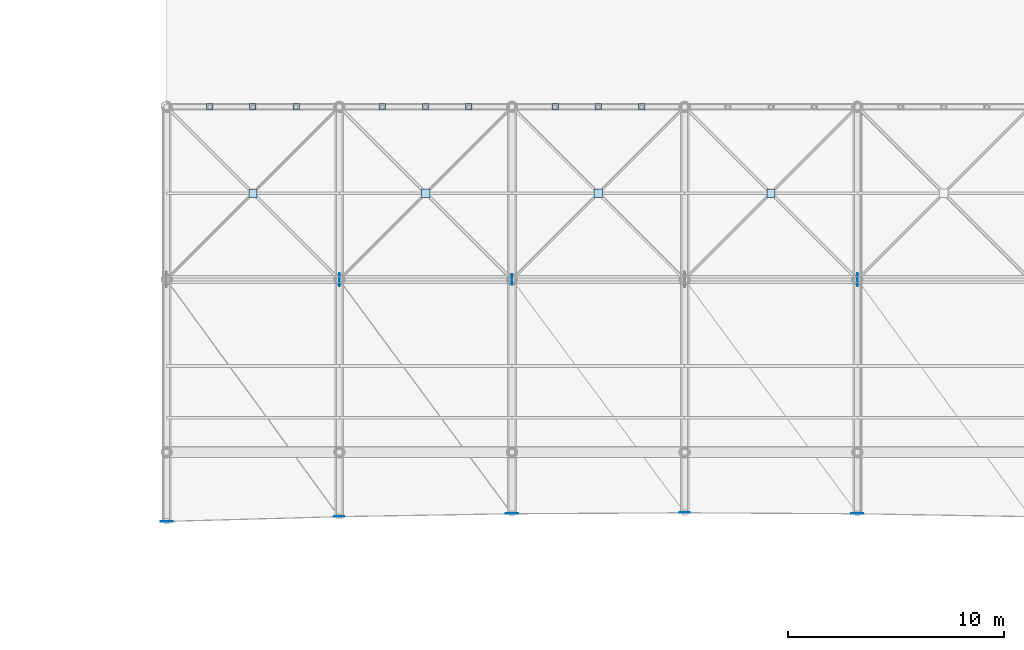
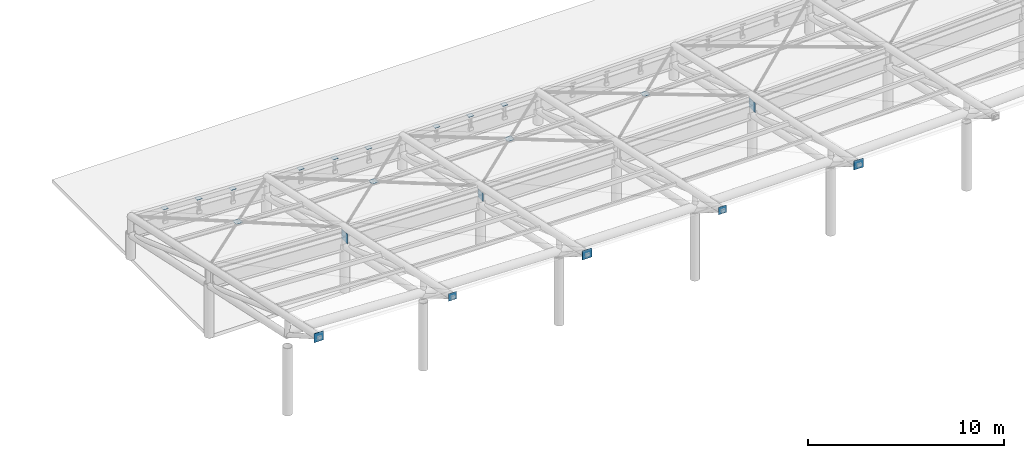
# One storey, part 37 of 54: 21 plates.
"""IFC4 building model written with IfcOpenShell, lengths in metres."""

from ifc_helpers import new_model, si_unit, direction, frame, origin, origin_2d, place, context, subcontext, project, spatial, rectangle, extrude, material, layer, layer_set, type_object, element, save


model = new_model("IFC4")

# Units and contexts
model_context = context("Model", 3, precision=1e-05, world=origin(), true_north=direction((0.0, 1.0)))
body_context = subcontext(model_context, "Body", "Model", "MODEL_VIEW")
ifc_project = project(units=[si_unit("LENGTHUNIT", "METRE"), si_unit("AREAUNIT", "SQUARE_METRE"), si_unit("VOLUMEUNIT", "CUBIC_METRE"), si_unit("PLANEANGLEUNIT", "RADIAN"), si_unit("MASSUNIT", "GRAM", prefix="KILO")], contexts=[model_context])

# Site, building, storey
site_placement = place(None, origin())
site = spatial("IfcSite", under=ifc_project, at=site_placement, CompositionType="ELEMENT")
building_placement = place(site_placement, origin())
building = spatial("IfcBuilding", under=site, at=building_placement, Name="Haebicheon Civic Stadium", CompositionType="ELEMENT")
storey_placement = place(building_placement, frame((0.0, 0.0, 22.800048828125)))
storey = spatial("IfcBuildingStorey", under=building, at=storey_placement, Name="L06", CompositionType="ELEMENT", Elevation=22.800048828125)

# Plates
ifc_material_1 = material(Name="White painted steel SM490", Category="steel")
ifc_layer_1 = layer(ifc_material_1, 0.013916015625, Name="White painted steel SM490")
ifc_layer_set_1 = layer_set([ifc_layer_1], Name="White painted steel SM490")
plate_type_1 = type_object("IfcPlateType", Name="PLT-CAP-14", PredefinedType="SHEET", material=ifc_layer_set_1)
for number, where, z_axis, x_axis, name in (
    (1, (82.0, 160.0, 2.38818359375), (0.0, 0.0, 1.0), (1.0, 0.0, 0.0), "CAN-NORTH hanger clevis cap plate 1.1"),
    (2, (84.0, 160.0, 2.296875), (0.0, 0.0, 1.0), (1.0, 0.0, 0.0), "CAN-NORTH hanger clevis cap plate 1.2"),
    (3, (86.0, 160.0, 2.205078125), (0.0, 0.0, 1.0), (1.0, 0.0, 0.0), "CAN-NORTH hanger clevis cap plate 1.3"),
    (4, (90.0, 160.0, 2.05810546875), (0.0, 0.0, 1.0), (1.0, 0.0, 0.0), "CAN-NORTH hanger clevis cap plate 2.1"),
    (5, (92.0, 160.0, 2.0029296875), (0.0, 0.0, 1.0), (1.0, 0.0, 0.0), "CAN-NORTH hanger clevis cap plate 2.2"),
    (6, (94.0, 160.0, 1.94775390625), (0.0, 0.0, 1.0), (1.0, 0.0, 0.0), "CAN-NORTH hanger clevis cap plate 2.3"),
    (7, (98.0, 160.0, 1.875), (0.0, 0.0, 1.0), (1.0, 0.0, 0.0), "CAN-NORTH hanger clevis cap plate 3.1"),
    (8, (100.0, 160.0, 1.85693359375), (0.0, 0.0, 1.0), (1.0, 0.0, 0.0), "CAN-NORTH hanger clevis cap plate 3.2"),
    (9, (102.0, 160.0, 1.837890625), (0.0, 0.0, 1.0), (1.0, 0.0, 0.0), "CAN-NORTH hanger clevis cap plate 3.3"),
):
    element("IfcPlate", number, at=place(storey_placement, frame(where, z_axis=z_axis, x_axis=x_axis)), inside=storey, type_object=plate_type_1, material=ifc_layer_set_1, Name=name, PredefinedType="SHEET", context=body_context, shape_type="SweptSolid", body=[
        extrude(rectangle(XDim=0.300048828125, YDim=0.300048828125, at=origin_2d()), origin(), (0.0, 0.0, 1.0), 0.013916015625),
    ])
ifc_material_2 = material(Name="White painted steel SM490", Category="steel")
ifc_layer_2 = layer(ifc_material_2, 0.02001953125, Name="White painted steel SM490")
ifc_layer_set_2 = layer_set([ifc_layer_2], Name="White painted steel SM490")
plate_type_2 = type_object("IfcPlateType", Name="PLT-CAP-20", PredefinedType="SHEET", material=ifc_layer_set_2)
for number, where, z_axis, x_axis, name in (
    (10, (88.0, 141.02197265625, 6.070068359375), (0.0, 0.0, 1.0), (-1.0, 0.0, 0.0), "CAN-NORTH tip end-cap plate 2"),
    (11, (104.0, 141.199951171875, 5.739013671875), (0.0, 0.0, 1.0), (-1.0, 0.0, 0.0), "CAN-NORTH tip end-cap plate 4"),
):
    element("IfcPlate", number, at=place(storey_placement, frame(where, z_axis=z_axis, x_axis=x_axis)), inside=storey, type_object=plate_type_2, material=ifc_layer_set_2, Name=name, PredefinedType="SHEET", context=body_context, shape_type="SweptSolid", body=[
        extrude(rectangle(XDim=0.4599609375, YDim=0.02001953125, at=origin_2d()), origin(), (0.0, 0.0, 1.0), 0.4599609375),
    ])
ifc_material_3 = material(Name="White painted steel SM490", Category="steel")
ifc_layer_3 = layer(ifc_material_3, 0.02587890625, Name="White painted steel SM490")
ifc_layer_set_3 = layer_set([ifc_layer_3], Name="White painted steel SM490")
plate_type_3 = type_object("IfcPlateType", Name="PLT-CAP-26", PredefinedType="SHEET", material=ifc_layer_set_3)
for number, where, z_axis, x_axis, name in (
    (12, (80.0, 140.800048828125, 6.434814453125), (0.0, 0.0, 1.0), (-1.0, 0.0, 0.0), "CAN-NORTH tip end-cap plate 1"),
    (13, (96.0, 141.156005859375, 5.77099609375), (0.0, 0.0, 1.0), (-1.0, 0.0, 0.0), "CAN-NORTH tip end-cap plate 3"),
    (14, (112.0, 141.156005859375, 5.77099609375), (0.0, 0.0, 1.0), (-1.0, 0.0, 0.0), "CAN-NORTH tip end-cap plate 5"),
):
    element("IfcPlate", number, at=place(storey_placement, frame(where, z_axis=z_axis, x_axis=x_axis)), inside=storey, type_object=plate_type_3, material=ifc_layer_set_3, Name=name, PredefinedType="SHEET", context=body_context, shape_type="SweptSolid", body=[
        extrude(rectangle(XDim=0.56005859375, YDim=0.02587890625, at=origin_2d()), origin(), (0.0, 0.0, 1.0), 0.56005859375),
    ])
ifc_material_4 = material(Name="White painted steel SM490", Category="steel")
ifc_layer_4 = layer(ifc_material_4, 0.01806640625, Name="White painted steel SM490")
ifc_layer_set_4 = layer_set([ifc_layer_4], Name="White painted steel SM490")
plate_type_4 = type_object("IfcPlateType", Name="PLT-GUS-18", PredefinedType="USERDEFINED", material=ifc_layer_set_4)
plate_placement = place(storey_placement, frame((96.0, 152.0, 2.89501953125), z_axis=(0.0, 0.0, 1.0), x_axis=(0.0, 1.0, 0.0)))
element("IfcPlate", 15, at=plate_placement, inside=storey, type_object=plate_type_4, material=ifc_layer_set_4, Name="CAN-NORTH heel node gusset plate KN-H03", ObjectType="GUSSET PLATE", PredefinedType="USERDEFINED", context=body_context, shape_type="SweptSolid", body=[
    extrude(rectangle(XDim=0.5, YDim=0.01806640625, at=origin_2d()), origin(), (0.0, 0.0, 1.0), 0.5),
])
ifc_material_5 = material(Name="White painted steel SM490", Category="steel")
ifc_layer_5 = layer(ifc_material_5, 0.02392578125, Name="White painted steel SM490")
ifc_layer_set_5 = layer_set([ifc_layer_5], Name="White painted steel SM490")
plate_type_5 = type_object("IfcPlateType", Name="PLT-GUS-24", PredefinedType="USERDEFINED", material=ifc_layer_set_5)
for number, where, z_axis, x_axis, name in (
    (16, (88.0, 152.0, 3.06494140625), (0.0, 0.0, 1.0), (0.0, 1.0, 0.0), "CAN-NORTH heel node gusset plate KN-H02"),
    (17, (112.0, 152.0, 2.844970703125), (0.0, 0.0, 1.0), (0.0, 1.0, 0.0), "CAN-NORTH heel node gusset plate KN-H05"),
):
    element("IfcPlate", number, at=place(storey_placement, frame(where, z_axis=z_axis, x_axis=x_axis)), inside=storey, type_object=plate_type_5, material=ifc_layer_set_5, Name=name, ObjectType="GUSSET PLATE", PredefinedType="USERDEFINED", context=body_context, shape_type="SweptSolid", body=[
        extrude(rectangle(XDim=0.60009765625, YDim=0.02392578125, at=origin_2d()), origin(), (0.0, 0.0, 1.0), 0.60009765625),
    ])
ifc_material_6 = material(Name="White painted steel SM490", Category="steel")
ifc_layer_6 = layer(ifc_material_6, 0.013916015625, Name="White painted steel SM490")
ifc_layer_set_6 = layer_set([ifc_layer_6], Name="White painted steel SM490")
plate_type_6 = type_object("IfcPlateType", Name="PLT-XND-14", PredefinedType="SHEET", material=ifc_layer_set_6)
for number, where, z_axis, x_axis, name in (
    (18, (84.0, 156.0, 3.255859375), (0.0, 0.0, 1.0), (1.0, 0.0, 0.0), "CAN-NORTH X-brace crossing gusset plate 1"),
    (19, (92.0, 156.0, 2.962890625), (0.0, 0.0, 1.0), (1.0, 0.0, 0.0), "CAN-NORTH X-brace crossing gusset plate 2"),
    (20, (100.0, 156.0, 2.81689453125), (0.0, 0.0, 1.0), (1.0, 0.0, 0.0), "CAN-NORTH X-brace crossing gusset plate 3"),
    (21, (108.0, 156.0, 2.81689453125), (0.0, 0.0, 1.0), (1.0, 0.0, 0.0), "CAN-NORTH X-brace crossing gusset plate 4"),
):
    element("IfcPlate", number, at=place(storey_placement, frame(where, z_axis=z_axis, x_axis=x_axis)), inside=storey, type_object=plate_type_6, material=ifc_layer_set_6, Name=name, PredefinedType="SHEET", context=body_context, shape_type="SweptSolid", body=[
        extrude(rectangle(XDim=0.3798828125, YDim=0.3798828125, at=origin_2d()), origin(), (0.0, 0.0, 1.0), 0.013916015625),
    ])

save(model, "model.ifc")
